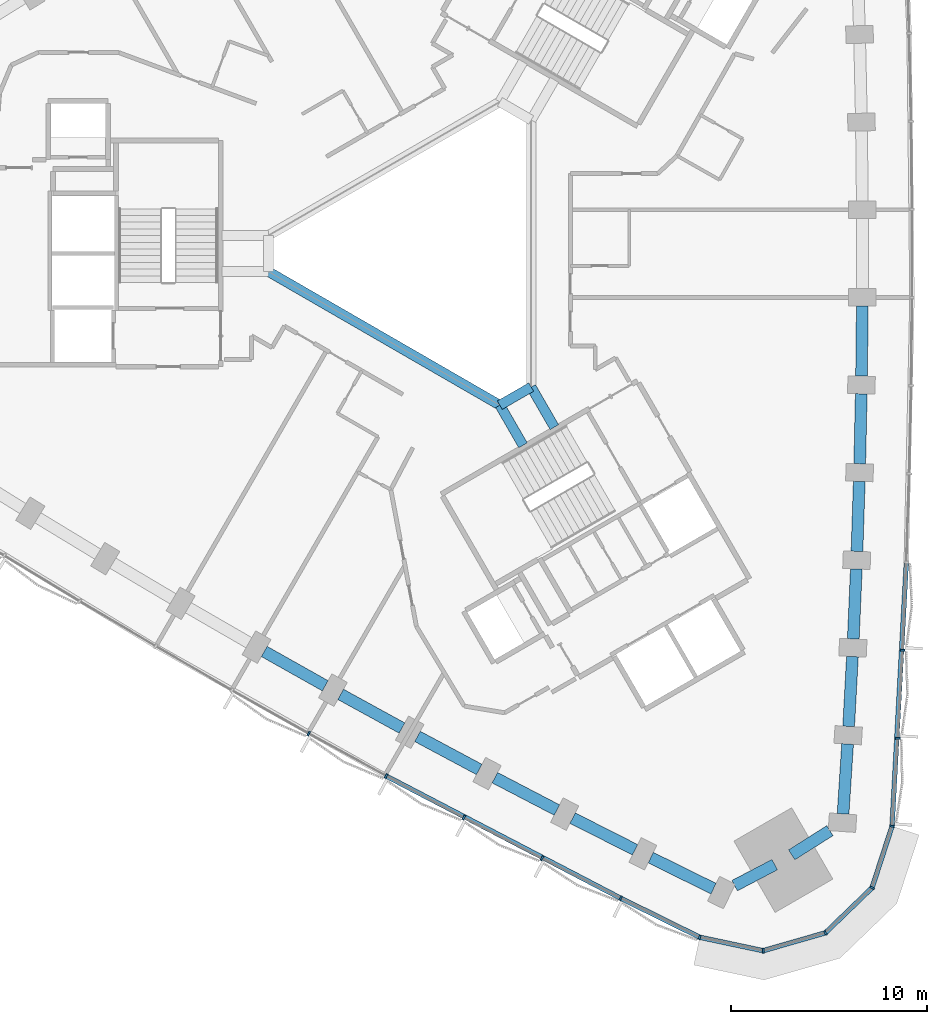
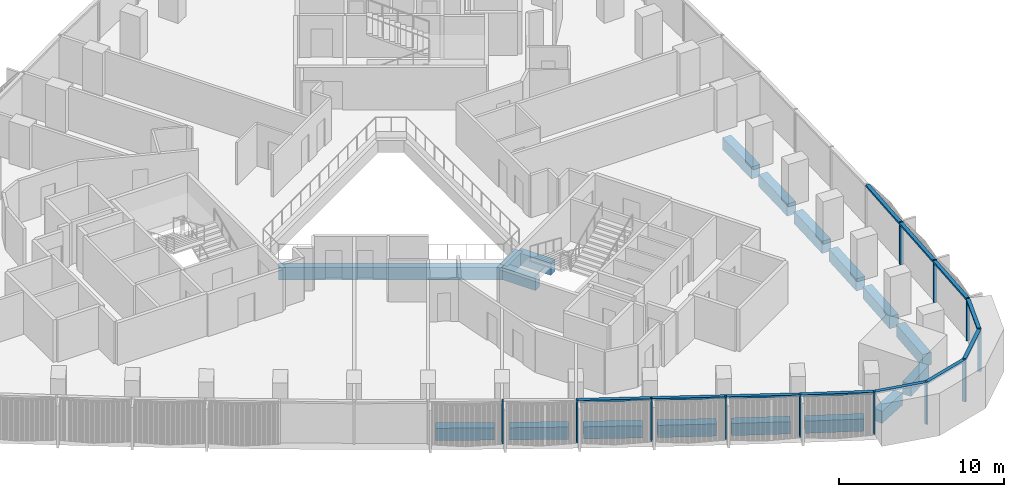
# One storey, part 3 of 15: 19 members, 18 beams, 2 elements without a shape of their own.
"""IFC4 building model written with IfcOpenShell, lengths in metres."""

from ifc_helpers import new_model, si_unit, direction, frame, origin, origin_2d, place, context, subcontext, project, spatial, rectangle, extrude, material, material_profile, profile_set, type_object, element, aggregate, save


model = new_model("IFC4")

# Units and contexts
model_context = context("Model", 3, precision=1e-05, world=origin(), true_north=direction((0.0, 1.0)))
body_context = subcontext(model_context, "Body", "Model", "MODEL_VIEW")
ifc_project = project(units=[si_unit("LENGTHUNIT", "METRE"), si_unit("AREAUNIT", "SQUARE_METRE"), si_unit("VOLUMEUNIT", "CUBIC_METRE"), si_unit("PLANEANGLEUNIT", "RADIAN"), si_unit("MASSUNIT", "GRAM", prefix="KILO")], contexts=[model_context])

# Site, building, storey
site_placement = place(None, origin())
site = spatial("IfcSite", under=ifc_project, at=site_placement, CompositionType="ELEMENT")
building_placement = place(site_placement, origin())
building = spatial("IfcBuilding", under=site, at=building_placement, Name="Tamra Quay Hotel Tower", CompositionType="ELEMENT")
storey_placement = place(building_placement, frame((0.0, 0.0, 53.0)))
storey = spatial("IfcBuildingStorey", under=building, at=storey_placement, Name="L11", CompositionType="ELEMENT", Elevation=53.0)

# Beams
ifc_material_1 = material(Name="Concrete M60", Category="concrete")
ifc_material_profile_1 = material_profile(ifc_material_1, rectangle(XDim=0.5, YDim=0.89990234375, at=origin_2d()), Name="ATRIUM EDGE BEAM RC 500x900")
ifc_profile_set_1 = profile_set([ifc_material_profile_1], Name="Concrete M60")
beam_type_1 = type_object("IfcBeamType", Name="ATRIUM EDGE BEAM RC 500x900", PredefinedType="BEAM", material=ifc_profile_set_1)
beam_1_placement = place(storey_placement, frame((5.0, -6.812744140625, -0.925048828125), z_axis=(-0.86602275259, -0.500004591975, 0.0), x_axis=(0.500004591975, -0.86602275259, 0.0)))
element("IfcBeam", 1, at=beam_1_placement, inside=storey, type_object=beam_type_1, Name="BM-AB1-L11", PredefinedType="BEAM", context=body_context, shape_type="SweptSolid", body=[
    extrude(rectangle(XDim=0.5, YDim=0.89990234375, at=origin_2d()), origin(), (0.0, 0.0, 1.0), 1.84765625),
])
beam_2_placement = place(storey_placement, frame((3.39990234375, -7.736572265625, -0.925048828125), z_axis=(-0.866021471679, 0.500006810544, 0.0), x_axis=(-0.500006810544, -0.866021471679, 0.0)))
element("IfcBeam", 2, at=beam_2_placement, inside=storey, type_object=beam_type_1, Name="BM-AB2-L11", PredefinedType="BEAM", context=body_context, shape_type="SweptSolid", body=[
    extrude(rectangle(XDim=0.5, YDim=0.89990234375, at=origin_2d()), origin(), (0.0, 0.0, 1.0), 13.625244140625),
])
ifc_material_profile_2 = material_profile(ifc_material_1, rectangle(XDim=0.5, YDim=0.89990234375, at=origin_2d()), Name="ATRIUM TIE BEAM RC 500x900")
ifc_profile_set_2 = profile_set([ifc_material_profile_2], Name="Concrete M60")
beam_type_2 = type_object("IfcBeamType", Name="ATRIUM TIE BEAM RC 500x900", PredefinedType="BEAM", material=ifc_profile_set_2)
for number, where, z_axis, x_axis, name in (
    (3, (5.0, -6.812744140625, -0.925048828125), (0.500029618126, -0.866008303076, 0.0), (0.866008303076, 0.500029618126, 0.0), "BM-TIE-1-L11"),
    (4, (3.39990234375, -7.736572265625, -0.925048828125), (0.500029618126, -0.866008303076, 0.0), (0.866008303076, 0.500029618126, 0.0), "BM-TIE-2-L11"),
):
    element("IfcBeam", number, at=place(storey_placement, frame(where, z_axis=z_axis, x_axis=x_axis)), inside=storey, type_object=beam_type_2, Name=name, PredefinedType="BEAM", context=body_context, shape_type="SweptSolid", body=[
        extrude(rectangle(XDim=0.5, YDim=0.89990234375, at=origin_2d()), origin(), (0.0, 0.0, 1.0), 2.362060546875),
    ])

# Curtain wall, members
ifc_material_2 = material(Name="Aluminium 6063 anodised dark grey", Category="aluminium")
curtain_wall_type_1 = type_object("IfcCurtainWallType", Name="CW1 CURTAIN WALL", PredefinedType="NOTDEFINED", material=ifc_material_2)
curtain_wall_1_placement = place(storey_placement, origin())
curtain_wall_1 = element("IfcCurtainWall", 5, at=curtain_wall_1_placement, inside=storey, type_object=curtain_wall_type_1, Name="CW1 east face L11", PredefinedType="NOTDEFINED")
ifc_material_profile_3 = material_profile(ifc_material_2, rectangle(XDim=0.239990234375, YDim=0.10009765625, at=origin_2d()), Name="MULLION 100X240")
ifc_profile_set_3 = profile_set([ifc_material_profile_3], Name="Aluminium 6063 anodised dark grey")
member_type_1 = type_object("IfcMemberType", Name="MULLION CW1 Z1", PredefinedType="MULLION", material=ifc_profile_set_3)
member_1_placement = place(storey_placement, frame((23.40869140625, -29.2109375, 0.0), z_axis=(0.0, 0.0, 1.0), x_axis=(0.982094529733, -0.188388785943, 0.0)))
member_1 = element("IfcMember", 6, at=member_1_placement, type_object=member_type_1, Name="CW1 mullion L11.E.1", PredefinedType="MULLION", context=body_context, shape_type="SweptSolid", body=[
    extrude(rectangle(XDim=0.239990234375, YDim=0.10009765625, at=origin_2d()), origin(), (0.0, 0.0, 1.0), 3.125),
])
member_2_placement = place(storey_placement, frame((23.699951171875, -24.723876953125, 0.0), z_axis=(0.0, 0.0, 1.0), x_axis=(0.998231971154, -0.05943847042, 0.0)))
member_2 = element("IfcMember", 7, at=member_2_placement, type_object=member_type_1, Name="CW1 mullion L11.E.2", PredefinedType="MULLION", context=body_context, shape_type="SweptSolid", body=[
    extrude(rectangle(XDim=0.239990234375, YDim=0.10009765625, at=origin_2d()), origin(), (0.0, 0.0, 1.0), 3.125),
])
member_3_placement = place(storey_placement, frame((23.943115234375, -20.2314453125, 0.0), z_axis=(0.0, 0.0, 1.0), x_axis=(0.998814694093, -0.048674499108, 0.0)))
member_3 = element("IfcMember", 8, at=member_3_placement, type_object=member_type_1, Name="CW1 mullion L11.E.3", PredefinedType="MULLION", context=body_context, shape_type="SweptSolid", body=[
    extrude(rectangle(XDim=0.239990234375, YDim=0.10009765625, at=origin_2d()), origin(), (0.0, 0.0, 1.0), 3.125),
])

curtain_wall_type_2 = type_object("IfcCurtainWallType", Name="CW3 CURTAIN WALL", PredefinedType="NOTDEFINED", material=ifc_material_2)
curtain_wall_2_placement = place(storey_placement, origin())
curtain_wall_2 = element("IfcCurtainWall", 9, at=curtain_wall_2_placement, inside=storey, type_object=curtain_wall_type_2, Name="CW3 south-west face L11", PredefinedType="NOTDEFINED")
ifc_material_profile_4 = material_profile(ifc_material_2, rectangle(XDim=0.239990234375, YDim=0.10009765625, at=origin_2d()), Name="MULLION 100X240")
ifc_profile_set_4 = profile_set([ifc_material_profile_4], Name="Aluminium 6063 anodised dark grey")
member_type_2 = type_object("IfcMemberType", Name="MULLION CW3 Z1", PredefinedType="MULLION", material=ifc_profile_set_4)
member_4_placement = place(storey_placement, frame((-6.3486328125, -24.48779296875, 0.0), z_axis=(0.0, 0.0, 1.0), x_axis=(-0.485863802361, -0.874034533388, 0.0)))
member_4 = element("IfcMember", 10, at=member_4_placement, type_object=member_type_2, Name="CW3 mullion L11.SW.9", PredefinedType="MULLION", context=body_context, shape_type="SweptSolid", body=[
    extrude(rectangle(XDim=0.239990234375, YDim=0.10009765625, at=origin_2d()), origin(), (0.0, 0.0, 1.0), 3.125),
])
member_5_placement = place(storey_placement, frame((-2.40478515625, -26.65234375, 0.0), z_axis=(0.0, 0.0, 1.0), x_axis=(-0.476376526936, -0.87924138016, 0.0)))
member_5 = element("IfcMember", 11, at=member_5_placement, type_object=member_type_2, Name="CW3 mullion L11.SW.10", PredefinedType="MULLION", context=body_context, shape_type="SweptSolid", body=[
    extrude(rectangle(XDim=0.239990234375, YDim=0.10009765625, at=origin_2d()), origin(), (0.0, 0.0, 1.0), 3.125),
])
member_6_placement = place(storey_placement, frame((1.56103515625, -28.773193359375, 0.0), z_axis=(0.0, 0.0, 1.0), x_axis=(-0.466835499362, -0.884344173122, 0.0)))
member_6 = element("IfcMember", 12, at=member_6_placement, type_object=member_type_2, Name="CW3 mullion L11.SW.11", PredefinedType="MULLION", context=body_context, shape_type="SweptSolid", body=[
    extrude(rectangle(XDim=0.239990234375, YDim=0.10009765625, at=origin_2d()), origin(), (0.0, 0.0, 1.0), 3.125),
])
member_7_placement = place(storey_placement, frame((5.54931640625, -30.851318359375, 0.0), z_axis=(0.0, 0.0, 1.0), x_axis=(-0.457253994303, -0.889336148312, 0.0)))
member_7 = element("IfcMember", 13, at=member_7_placement, type_object=member_type_2, Name="CW3 mullion L11.SW.12", PredefinedType="MULLION", context=body_context, shape_type="SweptSolid", body=[
    extrude(rectangle(XDim=0.239990234375, YDim=0.10009765625, at=origin_2d()), origin(), (0.0, 0.0, 1.0), 3.125),
])
member_8_placement = place(storey_placement, frame((9.5615234375, -32.88671875, 0.0), z_axis=(0.0, 0.0, 1.0), x_axis=(-0.447640760231, -0.894213481099, 0.0)))
member_8 = element("IfcMember", 14, at=member_8_placement, type_object=member_type_2, Name="CW3 mullion L11.SW.13", PredefinedType="MULLION", context=body_context, shape_type="SweptSolid", body=[
    extrude(rectangle(XDim=0.239990234375, YDim=0.10009765625, at=origin_2d()), origin(), (0.0, 0.0, 1.0), 3.125),
])
member_9_placement = place(storey_placement, frame((13.593017578125, -34.8779296875, 0.0), z_axis=(0.0, 0.0, 1.0), x_axis=(-0.327897790452, -0.944713204638, 0.0)))
member_9 = element("IfcMember", 15, at=member_9_placement, type_object=member_type_2, Name="CW3 mullion L11.SW.14", PredefinedType="MULLION", context=body_context, shape_type="SweptSolid", body=[
    extrude(rectangle(XDim=0.239990234375, YDim=0.10009765625, at=origin_2d()), origin(), (0.0, 0.0, 1.0), 3.125),
])
member_10_placement = place(storey_placement, frame((16.828125, -35.5654296875, 0.0), z_axis=(0.0, 0.0, 1.0), x_axis=(0.034915999879, -0.999390250579, 0.0)))
member_10 = element("IfcMember", 16, at=member_10_placement, type_object=member_type_2, Name="CW3 mullion L11.SW.15", PredefinedType="MULLION", context=body_context, shape_type="SweptSolid", body=[
    extrude(rectangle(XDim=0.239990234375, YDim=0.10009765625, at=origin_2d()), origin(), (0.0, 0.0, 1.0), 3.125),
])
member_11_placement = place(storey_placement, frame((20.00732421875, -34.65380859375, 0.0), z_axis=(0.0, 0.0, 1.0), x_axis=(0.5, -0.866025403784, 0.0)))
member_11 = element("IfcMember", 17, at=member_11_placement, type_object=member_type_2, Name="CW3 mullion L11.SW.16", PredefinedType="MULLION", context=body_context, shape_type="SweptSolid", body=[
    extrude(rectangle(XDim=0.239990234375, YDim=0.10009765625, at=origin_2d()), origin(), (0.0, 0.0, 1.0), 3.125),
])
member_12_placement = place(storey_placement, frame((22.386474609375, -32.356201171875, 0.0), z_axis=(0.0, 0.0, 1.0), x_axis=(0.848039345356, -0.529933268183, 0.0)))
member_12 = element("IfcMember", 18, at=member_12_placement, type_object=member_type_2, Name="CW3 mullion L11.SW.17", PredefinedType="MULLION", context=body_context, shape_type="SweptSolid", body=[
    extrude(rectangle(XDim=0.239990234375, YDim=0.10009765625, at=origin_2d()), origin(), (0.0, 0.0, 1.0), 3.125),
])

# Beams
ifc_material_profile_5 = material_profile(ifc_material_1, rectangle(XDim=0.60009765625, YDim=0.89990234375, at=origin_2d()), Name="SPANDREL BEAM RC 600x900")
ifc_profile_set_5 = profile_set([ifc_material_profile_5], Name="Concrete M60")
beam_type_3 = type_object("IfcBeamType", Name="SPANDREL BEAM RC 600x900", PredefinedType="SPANDREL", material=ifc_profile_set_5)
beam_3_placement = place(storey_placement, frame((20.908203125, -28.584716796875, -0.925048828125), z_axis=(0.064749077985, 0.99790157676, 0.0), x_axis=(-0.99790157676, 0.064749077985, 0.0)))
element("IfcBeam", 19, at=beam_3_placement, inside=storey, type_object=beam_type_3, Name="BM-SP1-000-L11", PredefinedType="SPANDREL", context=body_context, shape_type="SweptSolid", body=[
    extrude(rectangle(XDim=0.60009765625, YDim=0.89990234375, at=origin_2d()), origin(), (0.0, 0.0, 1.0), 3.57080078125),
])
beam_4_placement = place(storey_placement, frame((21.193115234375, -24.123046875, -0.925048828125), z_axis=(0.054026860576, 0.998539482613, 0.0), x_axis=(-0.998539482613, 0.054026860576, 0.0)))
element("IfcBeam", 20, at=beam_4_placement, inside=storey, type_object=beam_type_3, Name="BM-SP1-001-L11", PredefinedType="SPANDREL", context=body_context, shape_type="SweptSolid", body=[
    extrude(rectangle(XDim=0.60009765625, YDim=0.89990234375, at=origin_2d()), origin(), (0.0, 0.0, 1.0), 3.56982421875),
])
for number, where, z_axis, x_axis, name in (
    (21, (21.429931640625, -19.659423828125, -0.925048828125), (0.043282922957, 0.99906285517, 0.0), (-0.99906285517, 0.043282922957, 0.0), "BM-SP1-002-L11"),
    (22, (21.618408203125, -15.19287109375, -0.925048828125), (0.032547568535, 0.999470187541, 0.0), (-0.999470187541, 0.032547568535, 0.0), "BM-SP1-003-L11"),
):
    element("IfcBeam", number, at=place(storey_placement, frame(where, z_axis=z_axis, x_axis=x_axis)), inside=storey, type_object=beam_type_3, Name=name, PredefinedType="SPANDREL", context=body_context, shape_type="SweptSolid", body=[
        extrude(rectangle(XDim=0.60009765625, YDim=0.89990234375, at=origin_2d()), origin(), (0.0, 0.0, 1.0), 3.570556640625),
    ])
beam_5_placement = place(storey_placement, frame((21.7587890625, -10.724609375, -0.925048828125), z_axis=(0.021679013576, 0.999764982569, 0.0), x_axis=(-0.999764982569, 0.021679013576, 0.0)))
element("IfcBeam", 23, at=beam_5_placement, inside=storey, type_object=beam_type_3, Name="BM-SP1-004-L11", PredefinedType="SPANDREL", context=body_context, shape_type="SweptSolid", body=[
    extrude(rectangle(XDim=0.60009765625, YDim=0.89990234375, at=origin_2d()), origin(), (0.0, 0.0, 1.0), 3.56982421875),
])
for number, where, z_axis, x_axis, name in (
    (24, (21.850830078125, -6.255615234375, -0.925048828125), (0.010803527021, 0.999941640199, 0.0), (-0.999941640199, 0.010803527021, 0.0), "BM-SP1-005-L11"),
    (25, (-8.619384765625, -20.299560546875, -0.925048828125), (0.871431243693, -0.49051767299, 0.0), (0.49051767299, 0.871431243693, 0.0), "BM-SP1-037-L11"),
):
    element("IfcBeam", number, at=place(storey_placement, frame(where, z_axis=z_axis, x_axis=x_axis)), inside=storey, type_object=beam_type_3, Name=name, PredefinedType="SPANDREL", context=body_context, shape_type="SweptSolid", body=[
        extrude(rectangle(XDim=0.60009765625, YDim=0.89990234375, at=origin_2d()), origin(), (0.0, 0.0, 1.0), 3.570556640625),
    ])
beam_6_placement = place(storey_placement, frame((-4.72119140625, -22.48828125, -0.925048828125), z_axis=(0.876617015828, -0.481188744216, 0.0), x_axis=(0.481188744216, 0.876617015828, 0.0)))
element("IfcBeam", 26, at=beam_6_placement, inside=storey, type_object=beam_type_3, Name="BM-SP1-038-L11", PredefinedType="SPANDREL", context=body_context, shape_type="SweptSolid", body=[
    extrude(rectangle(XDim=0.60009765625, YDim=0.89990234375, at=origin_2d()), origin(), (0.0, 0.0, 1.0), 3.56982421875),
])
beam_7_placement = place(storey_placement, frame((-0.80029296875, -24.634765625, -0.925048828125), z_axis=(0.881809110934, -0.471606501094, 0.0), x_axis=(0.471606501094, 0.881809110934, 0.0)))
element("IfcBeam", 27, at=beam_7_placement, inside=storey, type_object=beam_type_3, Name="BM-SP1-039-L11", PredefinedType="SPANDREL", context=body_context, shape_type="SweptSolid", body=[
    extrude(rectangle(XDim=0.60009765625, YDim=0.89990234375, at=origin_2d()), origin(), (0.0, 0.0, 1.0), 3.5703125),
])
beam_8_placement = place(storey_placement, frame((3.14404296875, -26.73876953125, -0.925048828125), z_axis=(0.886863886749, -0.462030785101, 0.0), x_axis=(0.462030785101, 0.886863886749, 0.0)))
element("IfcBeam", 28, at=beam_8_placement, inside=storey, type_object=beam_type_3, Name="BM-SP1-040-L11", PredefinedType="SPANDREL", context=body_context, shape_type="SweptSolid", body=[
    extrude(rectangle(XDim=0.60009765625, YDim=0.89990234375, at=origin_2d()), origin(), (0.0, 0.0, 1.0), 3.570556640625),
])
beam_9_placement = place(storey_placement, frame((7.111083984375, -28.800048828125, -0.925048828125), z_axis=(0.891785652583, -0.452458119439, 0.0), x_axis=(0.452458119439, 0.891785652583, 0.0)))
element("IfcBeam", 29, at=beam_9_placement, inside=storey, type_object=beam_type_3, Name="BM-SP1-041-L11", PredefinedType="SPANDREL", context=body_context, shape_type="SweptSolid", body=[
    extrude(rectangle(XDim=0.60009765625, YDim=0.89990234375, at=origin_2d()), origin(), (0.0, 0.0, 1.0), 3.56982421875),
])
beam_10_placement = place(storey_placement, frame((11.099365234375, -30.818115234375, -0.925048828125), z_axis=(0.896604328032, -0.442832563113, 0.0), x_axis=(0.442832563113, 0.896604328032, 0.0)))
element("IfcBeam", 30, at=beam_10_placement, inside=storey, type_object=beam_type_3, Name="BM-SP1-042-L11", PredefinedType="SPANDREL", context=body_context, shape_type="SweptSolid", body=[
    extrude(rectangle(XDim=0.60009765625, YDim=0.89990234375, at=origin_2d()), origin(), (0.0, 0.0, 1.0), 3.57080078125),
])
beam_11_placement = place(storey_placement, frame((15.377197265625, -32.24609375, -0.925048828125), z_axis=(0.885674154565, 0.464307324879, 0.0), x_axis=(-0.464307324879, 0.885674154565, 0.0)))
element("IfcBeam", 31, at=beam_11_placement, inside=storey, type_object=beam_type_3, Name="BM-SP1-043-L11", PredefinedType="SPANDREL", context=body_context, shape_type="SweptSolid", body=[
    extrude(rectangle(XDim=0.60009765625, YDim=0.89990234375, at=origin_2d()), origin(), (0.0, 0.0, 1.0), 2.308349609375),
])
beam_12_placement = place(storey_placement, frame((18.28662109375, -30.6748046875, -0.925048828125), z_axis=(0.844978382684, 0.53480046073, 0.0), x_axis=(-0.53480046073, 0.844978382684, 0.0)))
element("IfcBeam", 32, at=beam_12_placement, inside=storey, type_object=beam_type_3, Name="BM-SP1-044-L11", PredefinedType="SPANDREL", context=body_context, shape_type="SweptSolid", body=[
    extrude(rectangle(XDim=0.60009765625, YDim=0.89990234375, at=origin_2d()), origin(), (0.0, 0.0, 1.0), 2.30859375),
])

# Member
ifc_material_profile_6 = material_profile(ifc_material_2, rectangle(XDim=0.239990234375, YDim=0.139892578125, at=origin_2d()), Name="TRANSOM 240X140")
ifc_profile_set_6 = profile_set([ifc_material_profile_6], Name="Aluminium 6063 anodised dark grey")
member_type_3 = type_object("IfcMemberType", Name="TRANSOM CW1 Z1", PredefinedType="USERDEFINED", material=ifc_profile_set_6)
member_13_placement = place(storey_placement, frame((23.411865234375, -29.160888671875, 3.054931640625), z_axis=(0.054052387444, 0.998538101132, 0.0), x_axis=(-0.998538101132, 0.054052387444, 0.0)))
member_13 = element("IfcMember", 33, at=member_13_placement, type_object=member_type_3, Name="CW1 transom L11.E.1", ObjectType="TRANSOM", PredefinedType="USERDEFINED", context=body_context, shape_type="SweptSolid", body=[
    extrude(rectangle(XDim=0.239990234375, YDim=0.139892578125, at=origin_2d()), origin(), (0.0, 0.0, 1.0), 13.39208984375),
])

aggregate(curtain_wall_1, [member_1, member_13, member_2, member_3])

ifc_material_profile_7 = material_profile(ifc_material_2, rectangle(XDim=0.239990234375, YDim=0.139892578125, at=origin_2d()), Name="TRANSOM 240X140")
ifc_profile_set_7 = profile_set([ifc_material_profile_7], Name="Aluminium 6063 anodised dark grey")
member_type_4 = type_object("IfcMemberType", Name="TRANSOM CW3 Z1", PredefinedType="USERDEFINED", material=ifc_profile_set_7)
member_14_placement = place(storey_placement, frame((-2.360595703125, -26.67578125, 3.054931640625), z_axis=(0.886850905356, -0.462055701913, 0.0), x_axis=(0.462055701913, 0.886850905356, 0.0)))
member_14 = element("IfcMember", 34, at=member_14_placement, type_object=member_type_4, Name="CW3 transom L11.SW.10", ObjectType="TRANSOM", PredefinedType="USERDEFINED", context=body_context, shape_type="SweptSolid", body=[
    extrude(rectangle(XDim=0.239990234375, YDim=0.139892578125, at=origin_2d()), origin(), (0.0, 0.0, 1.0), 13.392822265625),
])

member_15_placement = place(storey_placement, frame((9.606201171875, -32.908935546875, 3.054931640625), z_axis=(0.89661543445, -0.442810075208, 0.0), x_axis=(0.442810075208, 0.89661543445, 0.0)))
member_15 = element("IfcMember", 35, at=member_15_placement, type_object=member_type_4, Name="CW3 transom L11.SW.13", ObjectType="TRANSOM", PredefinedType="USERDEFINED", context=body_context, shape_type="SweptSolid", body=[
    extrude(rectangle(XDim=0.239990234375, YDim=0.139892578125, at=origin_2d()), origin(), (0.0, 0.0, 1.0), 4.396484375),
])

member_16_placement = place(storey_placement, frame((13.641845703125, -34.88818359375, 3.054931640625), z_axis=(0.978156336052, -0.20787059013, 0.0), x_axis=(0.20787059013, 0.978156336052, 0.0)))
member_16 = element("IfcMember", 36, at=member_16_placement, type_object=member_type_4, Name="CW3 transom L11.SW.14", ObjectType="TRANSOM", PredefinedType="USERDEFINED", context=body_context, shape_type="SweptSolid", body=[
    extrude(rectangle(XDim=0.239990234375, YDim=0.139892578125, at=origin_2d()), origin(), (0.0, 0.0, 1.0), 3.20751953125),
])

member_17_placement = place(storey_placement, frame((16.876220703125, -35.551513671875, 3.054931640625), z_axis=(0.961262114071, 0.275635897612, 0.0), x_axis=(-0.275635897612, 0.961262114071, 0.0)))
member_17 = element("IfcMember", 37, at=member_17_placement, type_object=member_type_4, Name="CW3 transom L11.SW.15", ObjectType="TRANSOM", PredefinedType="USERDEFINED", context=body_context, shape_type="SweptSolid", body=[
    extrude(rectangle(XDim=0.239990234375, YDim=0.139892578125, at=origin_2d()), origin(), (0.0, 0.0, 1.0), 3.207275390625),
])

member_18_placement = place(storey_placement, frame((20.043212890625, -34.618896484375, 3.054931640625), z_axis=(0.719405395398, 0.694590438367, 0.0), x_axis=(-0.694590438367, 0.719405395398, 0.0)))
member_18 = element("IfcMember", 38, at=member_18_placement, type_object=member_type_4, Name="CW3 transom L11.SW.16", ObjectType="TRANSOM", PredefinedType="USERDEFINED", context=body_context, shape_type="SweptSolid", body=[
    extrude(rectangle(XDim=0.239990234375, YDim=0.139892578125, at=origin_2d()), origin(), (0.0, 0.0, 1.0), 3.207275390625),
])

member_19_placement = place(storey_placement, frame((22.40185546875, -32.308837890625, 3.054931640625), z_axis=(0.309025833938, 0.951053644102, 0.0), x_axis=(-0.951053644102, 0.309025833938, 0.0)))
member_19 = element("IfcMember", 39, at=member_19_placement, type_object=member_type_4, Name="CW3 transom L11.SW.17", ObjectType="TRANSOM", PredefinedType="USERDEFINED", context=body_context, shape_type="SweptSolid", body=[
    extrude(rectangle(XDim=0.239990234375, YDim=0.139892578125, at=origin_2d()), origin(), (0.0, 0.0, 1.0), 3.20751953125),
])

aggregate(curtain_wall_2, [member_4, member_5, member_14, member_6, member_7, member_8, member_15, member_9, member_16, member_10, member_17, member_11, member_18, member_12, member_19])

save(model, "model.ifc")
